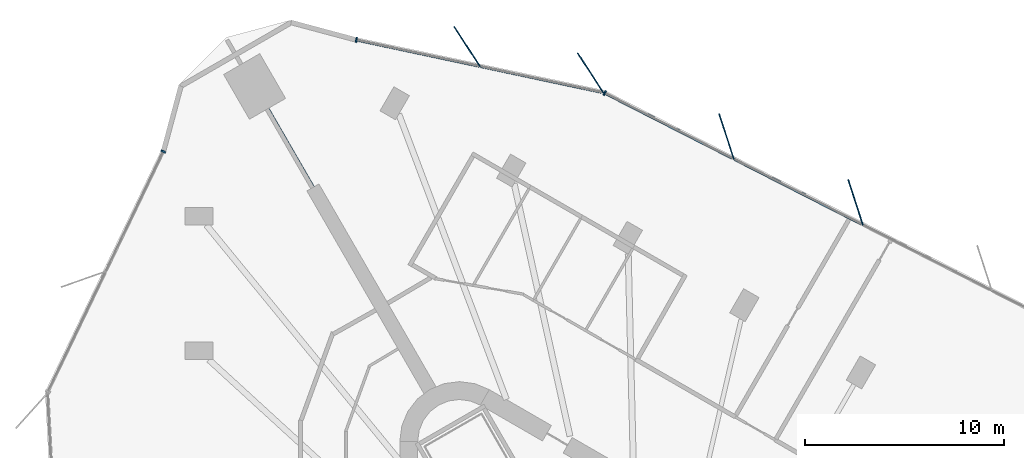
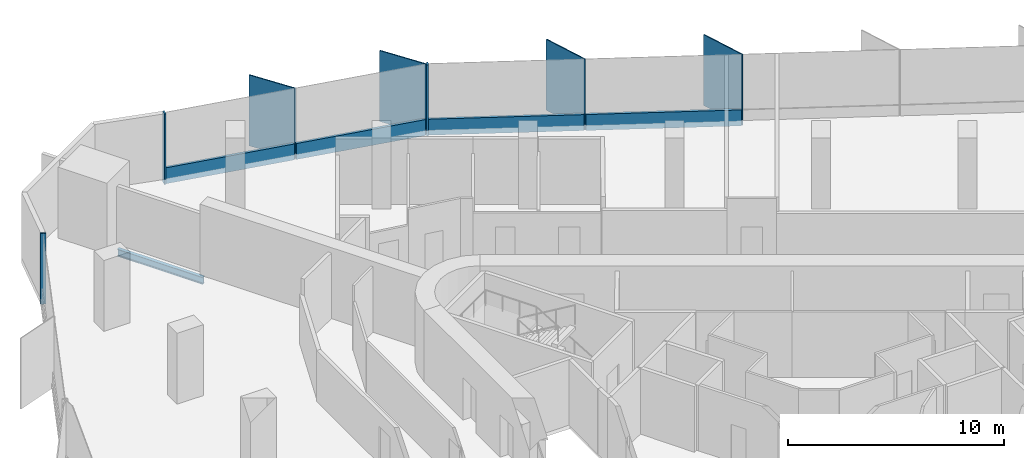
# One storey, part 6 of 14: 11 members, 1 beam, 3 elements without a shape of their own.
"""IFC4 building model written with IfcOpenShell, lengths in metres."""

from ifc_helpers import new_model, si_unit, direction, frame, origin, origin_2d, place, context, subcontext, project, spatial, rectangle, i_section, extrude, material, material_profile, profile_set, type_object, element, aggregate, save


model = new_model("IFC4")

# Units and contexts
model_context = context("Model", 3, precision=1e-05, world=origin(), true_north=direction((0.0, 1.0)))
body_context = subcontext(model_context, "Body", "Model", "MODEL_VIEW")
ifc_project = project(units=[si_unit("LENGTHUNIT", "METRE"), si_unit("AREAUNIT", "SQUARE_METRE"), si_unit("VOLUMEUNIT", "CUBIC_METRE"), si_unit("PLANEANGLEUNIT", "RADIAN"), si_unit("MASSUNIT", "GRAM", prefix="KILO")], contexts=[model_context])

# Site, building, storey
site_placement = place(None, origin())
site = spatial("IfcSite", under=ifc_project, at=site_placement, CompositionType="ELEMENT")
building_placement = place(site_placement, origin())
building = spatial("IfcBuilding", under=site, at=building_placement, Name="Tanit Gate Tower", CompositionType="ELEMENT")
storey_placement = place(building_placement, frame((0.0, 0.0, 213.199951171875)))
storey = spatial("IfcBuildingStorey", under=building, at=storey_placement, Name="L47", CompositionType="ELEMENT", Elevation=213.199951171875)

# Curtain wall, members
ifc_material_1 = material(Name="Aluminium bronze anodised and glass", Category="aluminium")
curtain_wall_type = type_object("IfcCurtainWallType", Name="Curtain wall typical mid", PredefinedType="NOTDEFINED", material=ifc_material_1)
curtain_wall_1_placement = place(storey_placement, origin())
curtain_wall_1 = element("IfcCurtainWall", 1, at=curtain_wall_1_placement, inside=storey, type_object=curtain_wall_type, Name="Curtain wall L47 NE2", PredefinedType="NOTDEFINED")
ifc_material_2 = material(Name="Aluminium bronze anodised", Category="aluminium")
ifc_material_profile_1 = material_profile(ifc_material_2, rectangle(XDim=2.39990234375, YDim=0.055908203125, at=origin_2d()), Name="56x2400 bronze fin mullion")
ifc_profile_set_1 = profile_set([ifc_material_profile_1], Name="Aluminium bronze anodised")
member_type_1 = type_object("IfcMemberType", Name="FIN MULLION 56x2400 bronze", PredefinedType="MULLION", material=ifc_profile_set_1)
member_1_placement = place(storey_placement, frame((10.826171875, 27.78125, -0.300048828125), z_axis=(0.0, 0.0, 1.0), x_axis=(0.308699841109, -0.95115950718, 0.0)))
member_1 = element("IfcMember", 2, at=member_1_placement, type_object=member_type_1, Name="Fin mullion L47 NE2.4", PredefinedType="MULLION", context=body_context, shape_type="SweptSolid", body=[
    extrude(rectangle(XDim=2.39990234375, YDim=0.055908203125, at=origin_2d()), origin(), (0.0, 0.0, 1.0), 4.0),
])
member_2_placement = place(storey_placement, frame((4.33544921875, 31.091064453125, -0.300048828125), z_axis=(0.0, 0.0, 1.0), x_axis=(0.308699841109, -0.95115950718, 0.0)))
member_2 = element("IfcMember", 3, at=member_2_placement, type_object=member_type_1, Name="Fin mullion L47 NE2.5", PredefinedType="MULLION", context=body_context, shape_type="SweptSolid", body=[
    extrude(rectangle(XDim=2.39990234375, YDim=0.055908203125, at=origin_2d()), origin(), (0.0, 0.0, 1.0), 4.0),
])

curtain_wall_2_placement = place(storey_placement, origin())
curtain_wall_2 = element("IfcCurtainWall", 4, at=curtain_wall_2_placement, inside=storey, type_object=curtain_wall_type, Name="Curtain wall L47 NE3", PredefinedType="NOTDEFINED")
member_3_placement = place(storey_placement, frame((-2.50732421875, 34.295166015625, -0.300048828125), z_axis=(0.0, 0.0, 1.0), x_axis=(0.544111668677, -0.839012808013, 0.0)))
member_3 = element("IfcMember", 5, at=member_3_placement, type_object=member_type_1, Name="Fin mullion L47 NE3.1", PredefinedType="MULLION", context=body_context, shape_type="SweptSolid", body=[
    extrude(rectangle(XDim=2.39990234375, YDim=0.055908203125, at=origin_2d()), origin(), (0.0, 0.0, 1.0), 4.0),
])
member_4_placement = place(storey_placement, frame((-8.7177734375, 35.619384765625, -0.300048828125), z_axis=(0.0, 0.0, 1.0), x_axis=(0.544111668677, -0.839012808013, 0.0)))
member_4 = element("IfcMember", 6, at=member_4_placement, type_object=member_type_1, Name="Fin mullion L47 NE3.2", PredefinedType="MULLION", context=body_context, shape_type="SweptSolid", body=[
    extrude(rectangle(XDim=2.39990234375, YDim=0.055908203125, at=origin_2d()), origin(), (0.0, 0.0, 1.0), 4.0),
])

# Member
ifc_material_3 = material(Name="Aluminium bronze anodised", Category="aluminium")
ifc_material_profile_2 = material_profile(ifc_material_3, rectangle(XDim=0.260009765625, YDim=0.080078125, at=origin_2d()), Name="80x260 bronze mullion")
ifc_profile_set_2 = profile_set([ifc_material_profile_2], Name="Aluminium bronze anodised")
member_type_2 = type_object("IfcMemberType", Name="Mullion 80x260 typical mid", PredefinedType="MULLION", material=ifc_profile_set_2)
member_5_placement = place(storey_placement, frame((-1.791259765625, 33.27978515625, -0.300048828125), z_axis=(0.0, 0.0, 1.0), x_axis=(-0.454287586518, -0.890855088516, 0.0)))
member_5 = element("IfcMember", 7, at=member_5_placement, type_object=member_type_2, Name="Mullion L47 NE2.6", PredefinedType="MULLION", context=body_context, shape_type="SweptSolid", body=[
    extrude(rectangle(XDim=0.260009765625, YDim=0.080078125, at=origin_2d()), origin(), (0.0, 0.0, 1.0), 4.0),
])

member_6_placement = place(storey_placement, frame((-14.28662109375, 35.954345703125, -0.300048828125), z_axis=(0.0, 0.0, 1.0), x_axis=(-0.208526595404, -0.978016696692, 0.0)))
member_6 = element("IfcMember", 8, at=member_6_placement, type_object=member_type_2, Name="Mullion L47 NE3.3", PredefinedType="MULLION", context=body_context, shape_type="SweptSolid", body=[
    extrude(rectangle(XDim=0.260009765625, YDim=0.080078125, at=origin_2d()), origin(), (0.0, 0.0, 1.0), 4.0),
])

# Curtain wall, member
curtain_wall_3_placement = place(storey_placement, origin())
curtain_wall_3 = element("IfcCurtainWall", 9, at=curtain_wall_3_placement, inside=storey, type_object=curtain_wall_type, Name="Curtain wall L47 W1", PredefinedType="NOTDEFINED")
member_7_placement = place(storey_placement, frame((-24.001220703125, 30.343994140625, -0.300048828125), z_axis=(0.0, 0.0, 1.0), x_axis=(0.90136651236, -0.433057052125, 0.0)))
member_7 = element("IfcMember", 10, at=member_7_placement, type_object=member_type_2, Name="Mullion L47 W1.1", PredefinedType="MULLION", context=body_context, shape_type="SweptSolid", body=[
    extrude(rectangle(XDim=0.260009765625, YDim=0.080078125, at=origin_2d()), origin(), (0.0, 0.0, 1.0), 4.0),
])
aggregate(curtain_wall_3, [member_7])

# Beam
ifc_material_4 = material(Name="Steel S355", Category="steel")
ifc_material_profile_3 = material_profile(ifc_material_4, i_section(OverallWidth=0.179931640625, OverallDepth=0.39990234375, WebThickness=0.008544921875, FlangeThickness=0.013427734375, FilletRadius=0.02099609375, at=origin_2d()), Name="IPE 400")
ifc_profile_set_3 = profile_set([ifc_material_profile_3], Name="Steel S355")
beam_type = type_object("IfcBeamType", Name="RADIAL GIRDER IPE 400 S355", PredefinedType="BEAM", material=ifc_profile_set_3)
beam_placement = place(storey_placement, frame((-18.755615234375, 32.485595703125, -0.5), z_axis=(0.500013963156, -0.866017342002, 0.0), x_axis=(0.866017342002, 0.500013963156, 0.0)))
element("IfcBeam", 11, at=beam_placement, inside=storey, type_object=beam_type, Name="RADIAL GIRDER", PredefinedType="BEAM", context=body_context, shape_type="SweptSolid", body=[
    extrude(i_section(OverallWidth=0.179931640625, OverallDepth=0.39990234375, WebThickness=0.008544921875, FlangeThickness=0.013427734375, FilletRadius=0.02099609375, at=origin_2d()), origin(), (0.0, 0.0, 1.0), 4.567138671875),
])

# Member
ifc_material_5 = material(Name="Aluminium bronze anodised", Category="aluminium")
ifc_material_profile_4 = material_profile(ifc_material_5, rectangle(XDim=0.139892578125, YDim=0.89990234375, at=origin_2d()), Name="140x900 bronze transom")
ifc_profile_set_4 = profile_set([ifc_material_profile_4], Name="Aluminium bronze anodised")
member_type_3 = type_object("IfcMemberType", Name="Transom 140x900 typical mid", PredefinedType="USERDEFINED", material=ifc_profile_set_4)
member_8_placement = place(storey_placement, frame((11.154296875, 26.67822265625, 0.150146484375), z_axis=(-0.890862057328, 0.454273920463, 0.0), x_axis=(-0.454273920463, -0.890862057328, 0.0)))
member_8 = element("IfcMember", 12, at=member_8_placement, type_object=member_type_3, Name="Transom L47 NE2.4", ObjectType="TRANSOM", PredefinedType="USERDEFINED", context=body_context, shape_type="SweptSolid", body=[
    extrude(rectangle(XDim=0.139892578125, YDim=0.89990234375, at=origin_2d()), origin(), (0.0, 0.0, 1.0), 7.205810546875),
])

member_9_placement = place(storey_placement, frame((4.663818359375, 29.988037109375, 0.150146484375), z_axis=(-0.890862057328, 0.454273920463, 0.0), x_axis=(-0.454273920463, -0.890862057328, 0.0)))
member_9 = element("IfcMember", 13, at=member_9_placement, type_object=member_type_3, Name="Transom L47 NE2.5", ObjectType="TRANSOM", PredefinedType="USERDEFINED", context=body_context, shape_type="SweptSolid", body=[
    extrude(rectangle(XDim=0.139892578125, YDim=0.89990234375, at=origin_2d()), origin(), (0.0, 0.0, 1.0), 7.205810546875),
])

aggregate(curtain_wall_1, [member_1, member_2, member_5, member_8, member_9])

member_10_placement = place(storey_placement, frame((-1.9052734375, 33.314453125, 0.150146484375), z_axis=(-0.978009360048, 0.208561002246, 0.0), x_axis=(-0.208561002246, -0.978009360048, 0.0)))
member_10 = element("IfcMember", 14, at=member_10_placement, type_object=member_type_3, Name="Transom L47 NE3.1", ObjectType="TRANSOM", PredefinedType="USERDEFINED", context=body_context, shape_type="SweptSolid", body=[
    extrude(rectangle(XDim=0.139892578125, YDim=0.89990234375, at=origin_2d()), origin(), (0.0, 0.0, 1.0), 6.269775390625),
])

member_11_placement = place(storey_placement, frame((-8.115478515625, 34.638671875, 0.150146484375), z_axis=(-0.978018995211, 0.208515814761, 0.0), x_axis=(-0.208515814761, -0.978018995211, 0.0)))
member_11 = element("IfcMember", 15, at=member_11_placement, type_object=member_type_3, Name="Transom L47 NE3.2", ObjectType="TRANSOM", PredefinedType="USERDEFINED", context=body_context, shape_type="SweptSolid", body=[
    extrude(rectangle(XDim=0.139892578125, YDim=0.89990234375, at=origin_2d()), origin(), (0.0, 0.0, 1.0), 6.27001953125),
])

aggregate(curtain_wall_2, [member_3, member_4, member_6, member_10, member_11])

save(model, "model.ifc")
